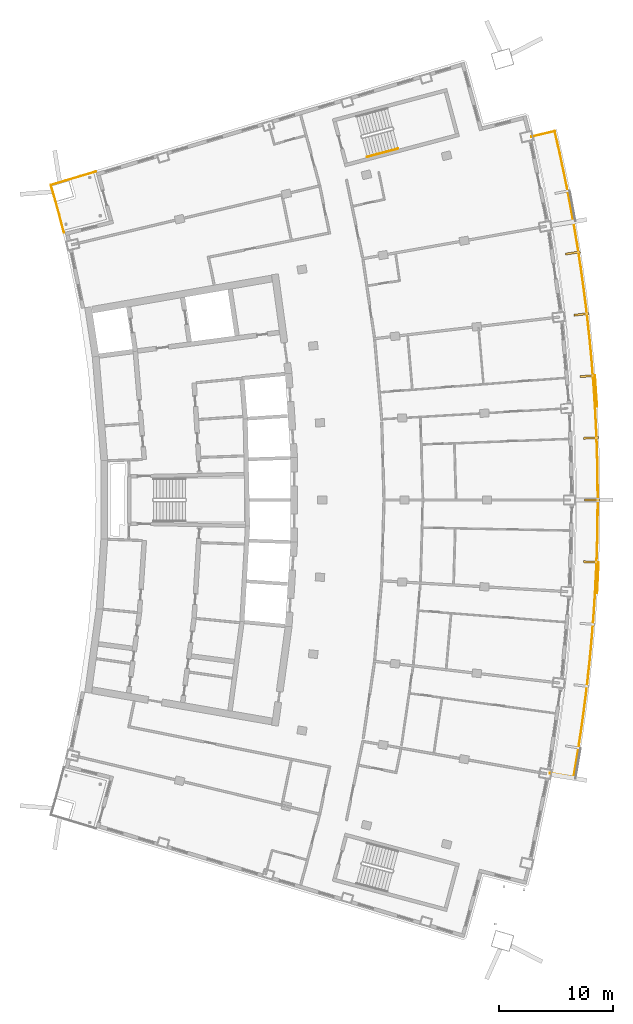
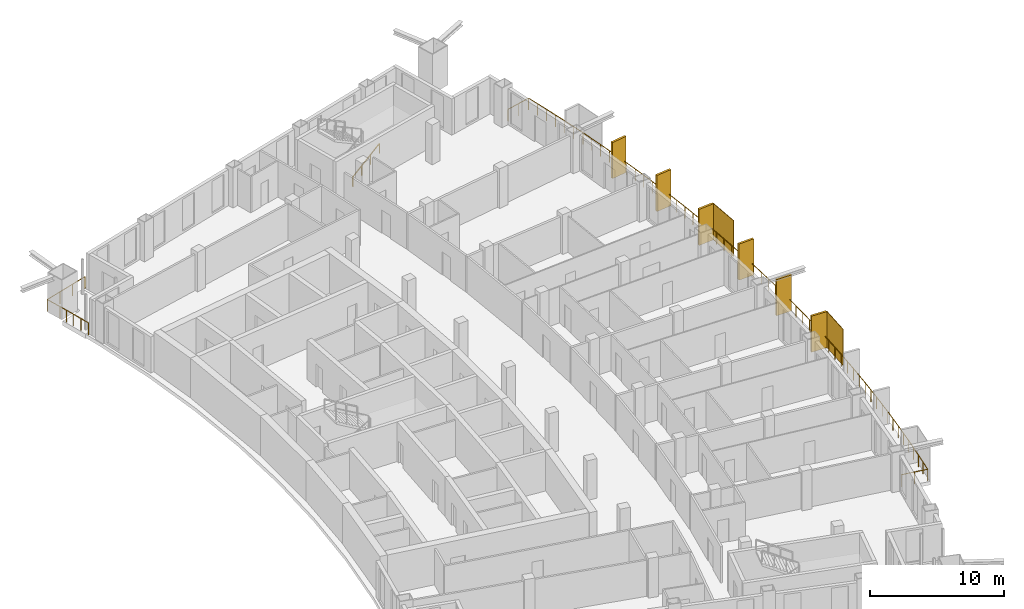
# One storey, part 18 of 19: 8 shading devices, 3 railings.
"""IFC4 building model written with IfcOpenShell, lengths in metres."""

import ifcopenshell
import ifcopenshell.guid

model = None  # the IFC model being written
_history = None  # IfcOwnerHistory: only IFC2X3 demands one
_inside = {}  # id of a spatial element -> (the spatial element, [elements in it])
_under = {}  # id of a project, library or spatial element -> (it, [spatial elements below it])
_declared = {}  # id of a project -> (the project, [libraries it declares])
_typed = {}  # id of a type object -> (the type object, [elements of that type])
_made_of = {}  # id of a material, layer set ... -> (it, [elements and type objects made of it])


def new_model(schema):
    """Start an empty IFC model of exactly this schema.

    Asked for "IFC4X3", IfcOpenShell would pick the latest addendum, in which some entities
    have other attributes; the version numbers below select the first issue.
    IFC2X3 requires an IfcOwnerHistory on every rooted entity: one is made here for all.
    """
    global model, _history
    if schema == "IFC4X3":
        model = ifcopenshell.file(schema_version=(4, 3, 0, 0))
    else:
        model = ifcopenshell.file(schema=schema)
    _inside.clear()
    _under.clear()
    _declared.clear()
    _typed.clear()
    _made_of.clear()
    _history = None
    if model.schema == "IFC2X3":
        org = make("IfcOrganization", Name="unknown")
        user = make(
            "IfcPersonAndOrganization",
            ThePerson=make("IfcPerson", FamilyName="unknown"),
            TheOrganization=org,
        )
        app = make(
            "IfcApplication",
            ApplicationDeveloper=org,
            Version="unknown",
            ApplicationFullName="unknown",
            ApplicationIdentifier="unknown",
        )
        _history = make(
            "IfcOwnerHistory",
            OwningUser=user,
            OwningApplication=app,
            ChangeAction="ADDED",
            CreationDate=0,
        )
    return model


def make(cls, **values):
    """One entity of the class cls with the attributes given. An attribute that is None is left unset."""
    return model.create_entity(
        cls, **{name: value for name, value in values.items() if value is not None}
    )


def rooted(cls, **values):
    """An entity with a GlobalId (a new one), such as an element, a storey or a relation."""
    return make(cls, GlobalId=ifcopenshell.guid.new(), OwnerHistory=_history, **values)


def si_unit(unit_type, name, prefix=None):
    """IfcSIUnit, for example si_unit("LENGTHUNIT", "METRE", prefix="MILLI")."""
    return make("IfcSIUnit", UnitType=unit_type, Prefix=prefix, Name=name)


def assignment(units):
    """IfcUnitAssignment: the units of a project."""
    return None if units is None else make("IfcUnitAssignment", Units=units)


def point(xyz):
    """IfcCartesianPoint."""
    return None if xyz is None else make("IfcCartesianPoint", Coordinates=xyz)


def direction(xyz):
    """IfcDirection."""
    return None if xyz is None else make("IfcDirection", DirectionRatios=xyz)


def frame(location, z_axis=None, x_axis=None):
    """IfcAxis2Placement3D, a coordinate frame: its origin and axes. An axis left out is left unset."""
    return make(
        "IfcAxis2Placement3D",
        Location=point(location),
        Axis=direction(z_axis),
        RefDirection=direction(x_axis),
    )


def frame_2d(location, x_axis=None):
    """IfcAxis2Placement2D, a coordinate frame in the plane: its origin and x axis."""
    return make(
        "IfcAxis2Placement2D", Location=point(location), RefDirection=direction(x_axis)
    )


def origin():
    """The frame at (0, 0, 0) with its axes left unset."""
    return frame((0.0, 0.0, 0.0))


def origin_2d():
    """The frame at (0, 0) in the plane with its x axis left unset."""
    return frame_2d((0.0, 0.0))


def place(relative_to, where):
    """IfcLocalPlacement: puts the frame where relative to a parent placement (None: the world)."""
    return make(
        "IfcLocalPlacement", PlacementRelTo=relative_to, RelativePlacement=where
    )


def context(
    kind, dimensions, precision=None, world=None, true_north=None, identifier=None
):
    """IfcGeometricRepresentationContext, for example the 3D "Model" context."""
    return make(
        "IfcGeometricRepresentationContext",
        ContextIdentifier=identifier,
        ContextType=kind,
        CoordinateSpaceDimension=dimensions,
        Precision=precision,
        WorldCoordinateSystem=world,
        TrueNorth=true_north,
    )


def subcontext(parent, identifier, kind, view, scale=None):
    """IfcGeometricRepresentationSubContext, for example "Body" below "Model"."""
    return make(
        "IfcGeometricRepresentationSubContext",
        ContextIdentifier=identifier,
        ContextType=kind,
        ParentContext=parent,
        TargetScale=scale,
        TargetView=view,
    )


def project(units=None, contexts=None):
    """IfcProject with its units and contexts."""
    return rooted(
        "IfcProject",
        Name="project",
        RepresentationContexts=contexts,
        UnitsInContext=assignment(units),
    )


def spatial(cls, under=None, at=None, **own):
    """A site, building, storey or space (cls), placed at a placement, below another one or the project."""
    s = rooted(cls, ObjectPlacement=at, **own)
    if under is not None:
        _under.setdefault(under.id(), (under, []))[1].append(s)
    return s


def profile(cls, at=None, kind="AREA", **sizes):
    """A parametric profile (cls). Its sizes go by their IFC names, for example OverallWidth=200.0."""
    return make(cls, ProfileType=kind, Position=at, **sizes)


def rectangle(**sizes):
    """IfcRectangleProfileDef."""
    return profile("IfcRectangleProfileDef", **sizes)


def extrude(swept, where, along, depth):
    """IfcExtrudedAreaSolid: the profile swept, set in the frame where, extruded along a direction by depth."""
    return make(
        "IfcExtrudedAreaSolid",
        SweptArea=swept,
        Position=where,
        ExtrudedDirection=direction(along),
        Depth=depth,
    )


def shape(context_of_items, identifier, shape_type, items):
    """IfcShapeRepresentation: the items that make up one representation, for example the "Body"."""
    return make(
        "IfcShapeRepresentation",
        ContextOfItems=context_of_items,
        RepresentationIdentifier=identifier,
        RepresentationType=shape_type,
        Items=items,
    )


def material(Name=None, Category=None):
    """IfcMaterial."""
    return make("IfcMaterial", Name=Name, Category=Category)


def layer(
    of_material, thickness, ventilated=None, Name=None, Category=None, Priority=None
):
    """IfcMaterialLayer: one layer of a wall or slab, of a material (None: an air gap)."""
    return make(
        "IfcMaterialLayer",
        Material=of_material,
        LayerThickness=thickness,
        IsVentilated=ventilated,
        Name=Name,
        Category=Category,
        Priority=Priority,
    )


def layer_set(layers, Name=None):
    """IfcMaterialLayerSet."""
    return make("IfcMaterialLayerSet", MaterialLayers=layers, LayerSetName=Name)


def made_of(thing, what):
    """Note that an element or type object is made of a material, layer set ...; save() writes the relation."""
    if what is not None:
        _made_of.setdefault(what.id(), (what, []))[1].append(thing)
    return thing


def type_object(cls, material=None, **own):
    """A type object (cls), such as IfcWallType, which elements share."""
    return made_of(rooted(cls, **own), material)


def element(
    cls,
    number,
    at=None,
    inside=None,
    cuts=None,
    type_object=None,
    material=None,
    context=None,
    identifier="Body",
    shape_type=None,
    held_by="IfcProductDefinitionShape",
    body=None,
    shapes=None,
    **own,
):
    """One element of the class cls, such as IfcWall. Its Tag is "e" and its number.

    at: its placement. inside: the storey or other place that contains it. cuts: it is an
    opening in that element (IfcRelVoidsElement). A single representation is given by context,
    identifier, shape_type and body (its items); several are given by shapes. held_by: the class
    of the entity that holds the representations. save() writes the other relations.
    """
    e = rooted(cls, Tag="e%d" % number, ObjectPlacement=at, **own)
    if body is not None:
        shapes = [shape(context, identifier, shape_type, body)]
    if shapes is not None:
        e.Representation = make(held_by, Representations=shapes)
    if inside is not None:
        _inside.setdefault(inside.id(), (inside, []))[1].append(e)
    if cuts is not None:
        rooted(
            "IfcRelVoidsElement", RelatingBuildingElement=cuts, RelatedOpeningElement=e
        )
    if type_object is not None:
        _typed.setdefault(type_object.id(), (type_object, []))[1].append(e)
    return made_of(e, material)


def aggregate(whole, parts):
    """IfcRelAggregates: a whole, such as a stair, and the parts it consists of."""
    return rooted("IfcRelAggregates", RelatingObject=whole, RelatedObjects=parts)


def save(model, path):
    """Write the relations noted so far, then the file.

    IfcRelAggregates (storeys below a building ...), IfcRelContainedInSpatialStructure (elements
    in a storey), IfcRelDefinesByType, IfcRelAssociatesMaterial and IfcRelDeclares: one each for
    every whole, place, type object, material and project.
    """
    for whole, parts in _under.values():
        aggregate(whole, parts)
    for where, things in _inside.values():
        rooted(
            "IfcRelContainedInSpatialStructure",
            RelatedElements=things,
            RelatingStructure=where,
        )
    for kind, things in _typed.values():
        rooted("IfcRelDefinesByType", RelatedObjects=things, RelatingType=kind)
    for what, things in _made_of.values():
        rooted("IfcRelAssociatesMaterial", RelatedObjects=things, RelatingMaterial=what)
    for by, libraries in _declared.values():
        rooted("IfcRelDeclares", RelatingContext=by, RelatedDefinitions=libraries)
    model.write(path)


model = new_model("IFC4")

# Units and contexts
model_context = context("Model", 3, precision=1e-05, world=origin(), true_north=direction((0.0, 1.0)))
body_context = subcontext(model_context, "Body", "Model", "MODEL_VIEW")
ifc_project = project(units=[si_unit("LENGTHUNIT", "METRE"), si_unit("AREAUNIT", "SQUARE_METRE"), si_unit("VOLUMEUNIT", "CUBIC_METRE"), si_unit("PLANEANGLEUNIT", "RADIAN"), si_unit("MASSUNIT", "GRAM", prefix="KILO")], contexts=[model_context])

# Site, building, storey
site_placement = place(None, origin())
site = spatial("IfcSite", under=ifc_project, at=site_placement, CompositionType="ELEMENT")
building_placement = place(site_placement, origin())
building = spatial("IfcBuilding", under=site, at=building_placement, Name="Alderwake Tower", CompositionType="ELEMENT")
storey_placement = place(building_placement, frame((0.0, 0.0, 228.800048828125)))
storey = spatial("IfcBuildingStorey", under=building, at=storey_placement, Name="L57", CompositionType="ELEMENT", Elevation=228.800048828125)

# Railings
ifc_material_1 = material(Name="Stainless steel 316 rail and posts", Category="steel")
railing_type_1 = type_object("IfcRailingType", Name="Balcony guard 1100", PredefinedType="GUARDRAIL", material=ifc_material_1)
railing_1_placement = place(storey_placement, frame((55.71240234375, 37.10498046875, 0.0)))
element("IfcRailing", 1, at=railing_1_placement, inside=storey, type_object=railing_type_1, Name="Guard BF04", PredefinedType="GUARDRAIL", context=body_context, shape_type="SweptSolid", body=[
    extrude(rectangle(XDim=0.048095703125, YDim=0.048095703125, at=origin_2d()), frame((0.0, 0.0, 1.076171875), z_axis=(0.984840855066, -0.173460341844, 0.0), x_axis=(0.173460341844, 0.984840855066, 0.0)), (0.0, 0.0, 1.0), 2.099853515625),
    extrude(rectangle(XDim=0.048095703125, YDim=0.048095703125, at=origin_2d()), frame((2.068115234375, -0.3642578125, 1.076171875), z_axis=(0.166602347752, 0.986024166906, 0.0), x_axis=(-0.986024166906, 0.166602347752, 0.0)), (0.0, 0.0, 1.0), 1.940185546875),
    extrude(rectangle(XDim=0.048095703125, YDim=0.048095703125, at=origin_2d()), frame((2.391357421875, 1.548828125, 1.076171875), z_axis=(0.15256970672, 0.988292712, 0.0), x_axis=(-0.988292712, 0.15256970672, 0.0)), (0.0, 0.0, 1.0), 2.040283203125),
    extrude(rectangle(XDim=0.048095703125, YDim=0.048095703125, at=origin_2d()), frame((2.70263671875, 3.565185546875, 1.076171875), z_axis=(0.138086845917, 0.990420124485, 0.0), x_axis=(-0.990420124485, 0.138086845917, 0.0)), (0.0, 0.0, 1.0), 2.040283203125),
    extrude(rectangle(XDim=0.048095703125, YDim=0.048095703125, at=origin_2d()), frame((2.984375, 5.5859375, 1.076171875), z_axis=(0.123622311964, 0.992329342499, 0.0), x_axis=(-0.992329342499, 0.123622311964, 0.0)), (0.0, 0.0, 1.0), 2.0400390625),
    extrude(rectangle(XDim=0.048095703125, YDim=0.048095703125, at=origin_2d()), frame((3.236572265625, 7.6103515625, 1.076171875), z_axis=(0.109131208179, 0.994027353447, 0.0), x_axis=(-0.994027353447, 0.109131208179, 0.0)), (0.0, 0.0, 1.0), 2.040283203125),
    extrude(rectangle(XDim=0.048095703125, YDim=0.048095703125, at=origin_2d()), frame((3.459228515625, 9.638427734375, 1.076171875), z_axis=(0.094656616902, 0.995509982309, 0.0), x_axis=(-0.995509982309, 0.094656616902, 0.0)), (0.0, 0.0, 1.0), 2.040283203125),
    extrude(rectangle(XDim=0.048095703125, YDim=0.048095703125, at=origin_2d()), frame((3.65234375, 11.66943359375, 1.076171875), z_axis=(0.080173257141, 0.996780943257, 0.0), x_axis=(-0.996780943257, 0.080173257141, 0.0)), (0.0, 0.0, 1.0), 2.040283203125),
    extrude(rectangle(XDim=0.048095703125, YDim=0.048095703125, at=origin_2d()), frame((3.81591796875, 13.703125, 1.076171875), z_axis=(0.06558170629, 0.997847202632, 0.0), x_axis=(-0.997847202632, 0.06558170629, 0.0)), (0.0, 0.0, 1.0), 2.0400390625),
    extrude(rectangle(XDim=0.048095703125, YDim=0.048095703125, at=origin_2d()), frame((3.94970703125, 15.73876953125, 1.076171875), z_axis=(0.050976054049, 0.998699875795, 0.0), x_axis=(-0.998699875795, 0.050976054049, 0.0)), (0.0, 0.0, 1.0), 2.040283203125),
    extrude(rectangle(XDim=0.048095703125, YDim=0.048095703125, at=origin_2d()), frame((4.0537109375, 17.7763671875, 1.076171875), z_axis=(0.036498237791, 0.999333717353, 0.0), x_axis=(-0.999333717353, 0.036498237791, 0.0)), (0.0, 0.0, 1.0), 2.040283203125),
    extrude(rectangle(XDim=0.048095703125, YDim=0.048095703125, at=origin_2d()), frame((4.128173828125, 19.815185546875, 1.076171875), z_axis=(0.021778196829, 0.999762826946, 0.0), x_axis=(-0.999762826946, 0.021778196829, 0.0)), (0.0, 0.0, 1.0), 2.040283203125),
    extrude(rectangle(XDim=0.048095703125, YDim=0.048095703125, at=origin_2d()), frame((4.172607421875, 21.85498046875, 1.076171875), z_axis=(0.007299949097, 0.999973355017, 0.0), x_axis=(-0.999973355017, 0.007299949097, 0.0)), (0.0, 0.0, 1.0), 2.0400390625),
    extrude(rectangle(XDim=0.048095703125, YDim=0.048095703125, at=origin_2d()), frame((4.1875, 23.89501953125, 1.076171875), z_axis=(-0.007299949097, 0.999973355017, 0.0), x_axis=(-0.999973355017, -0.007299949097, 0.0)), (0.0, 0.0, 1.0), 2.0400390625),
    extrude(rectangle(XDim=0.048095703125, YDim=0.048095703125, at=origin_2d()), frame((4.172607421875, 25.93505859375, 1.076171875), z_axis=(-0.021778196829, 0.999762826946, 0.0), x_axis=(-0.999762826946, -0.021778196829, 0.0)), (0.0, 0.0, 1.0), 2.040283203125),
    extrude(rectangle(XDim=0.048095703125, YDim=0.048095703125, at=origin_2d()), frame((4.128173828125, 27.974853515625, 1.076171875), z_axis=(-0.036498237791, 0.999333717353, 0.0), x_axis=(-0.999333717353, -0.036498237791, 0.0)), (0.0, 0.0, 1.0), 2.040283203125),
    extrude(rectangle(XDim=0.048095703125, YDim=0.048095703125, at=origin_2d()), frame((4.0537109375, 30.013671875, 1.076171875), z_axis=(-0.050976054049, 0.998699875795, 0.0), x_axis=(-0.998699875795, -0.050976054049, 0.0)), (0.0, 0.0, 1.0), 2.040283203125),
    extrude(rectangle(XDim=0.048095703125, YDim=0.048095703125, at=origin_2d()), frame((3.94970703125, 32.05126953125, 1.076171875), z_axis=(-0.06558170629, 0.997847202632, 0.0), x_axis=(-0.997847202632, -0.06558170629, 0.0)), (0.0, 0.0, 1.0), 2.0400390625),
    extrude(rectangle(XDim=0.048095703125, YDim=0.048095703125, at=origin_2d()), frame((3.81591796875, 34.0869140625, 1.076171875), z_axis=(-0.080173257141, 0.996780943257, 0.0), x_axis=(-0.996780943257, -0.080173257141, 0.0)), (0.0, 0.0, 1.0), 2.040283203125),
    extrude(rectangle(XDim=0.048095703125, YDim=0.048095703125, at=origin_2d()), frame((3.65234375, 36.12060546875, 1.076171875), z_axis=(-0.094656616902, 0.995509982309, 0.0), x_axis=(-0.995509982309, -0.094656616902, 0.0)), (0.0, 0.0, 1.0), 2.040283203125),
    extrude(rectangle(XDim=0.048095703125, YDim=0.048095703125, at=origin_2d()), frame((3.459228515625, 38.151611328125, 1.076171875), z_axis=(-0.109131208179, 0.994027353447, 0.0), x_axis=(-0.994027353447, -0.109131208179, 0.0)), (0.0, 0.0, 1.0), 2.040283203125),
    extrude(rectangle(XDim=0.048095703125, YDim=0.048095703125, at=origin_2d()), frame((3.236572265625, 40.1796875, 1.076171875), z_axis=(-0.123622311964, 0.992329342499, 0.0), x_axis=(-0.992329342499, -0.123622311964, 0.0)), (0.0, 0.0, 1.0), 2.0400390625),
    extrude(rectangle(XDim=0.048095703125, YDim=0.048095703125, at=origin_2d()), frame((2.984375, 42.2041015625, 1.076171875), z_axis=(-0.138086845917, 0.990420124485, 0.0), x_axis=(-0.990420124485, -0.138086845917, 0.0)), (0.0, 0.0, 1.0), 2.040283203125),
    extrude(rectangle(XDim=0.048095703125, YDim=0.048095703125, at=origin_2d()), frame((2.70263671875, 44.224853515625, 1.076171875), z_axis=(-0.15256970672, 0.988292712, 0.0), x_axis=(-0.988292712, -0.15256970672, 0.0)), (0.0, 0.0, 1.0), 2.040283203125),
    extrude(rectangle(XDim=0.048095703125, YDim=0.048095703125, at=origin_2d()), frame((2.391357421875, 46.2412109375, 1.076171875), z_axis=(-0.166940635235, 0.985966948892, 0.0), x_axis=(-0.985966948892, -0.166940635235, 0.0)), (0.0, 0.0, 1.0), 2.0400390625),
    extrude(rectangle(XDim=0.048095703125, YDim=0.048095703125, at=origin_2d()), frame((2.05078125, 48.252685546875, 1.076171875), z_axis=(-0.181296442704, 0.983428492501, 0.0), x_axis=(-0.983428492501, -0.181296442704, 0.0)), (0.0, 0.0, 1.0), 2.0400390625),
    extrude(rectangle(XDim=0.048095703125, YDim=0.048095703125, at=origin_2d()), frame((1.680908203125, 50.259033203125, 1.076171875), z_axis=(-0.195517818896, 0.980700149125, 0.0), x_axis=(-0.980700149125, -0.195517818896, 0.0)), (0.0, 0.0, 1.0), 2.040283203125),
    extrude(rectangle(XDim=0.048095703125, YDim=0.048095703125, at=origin_2d()), frame((1.281982421875, 52.260009765625, 1.076171875), z_axis=(-0.209905019047, 0.977721781991, 0.0), x_axis=(-0.977721781991, -0.209905019047, 0.0)), (0.0, 0.0, 1.0), 2.0400390625),
    extrude(rectangle(XDim=0.048095703125, YDim=0.048095703125, at=origin_2d()), frame((0.853759765625, 54.254638671875, 1.076171875), z_axis=(-0.22386682062, 0.974619744632, 0.0), x_axis=(-0.974619744632, -0.22386682062, 0.0)), (0.0, 0.0, 1.0), 1.940185546875),
    extrude(rectangle(XDim=0.048095703125, YDim=0.048095703125, at=origin_2d()), frame((0.41943359375, 56.1455078125, 1.076171875), z_axis=(-0.973089892327, -0.230425826355, 0.0), x_axis=(0.230425826355, -0.973089892327, 0.0)), (0.0, 0.0, 1.0), 2.099853515625),
    extrude(rectangle(XDim=0.0419921875, YDim=0.0419921875, at=origin_2d()), frame((0.0, 0.0, 0.0), z_axis=(0.0, 0.0, 1.0), x_axis=(0.984840855066, -0.173460341844, 0.0)), (0.0, 0.0, 1.0), 1.052001953125),
    extrude(rectangle(XDim=0.0419921875, YDim=0.0419921875, at=origin_2d()), frame((1.0341796875, -0.18212890625, 0.0), z_axis=(0.0, 0.0, 1.0), x_axis=(0.984840855066, -0.173460341844, 0.0)), (0.0, 0.0, 1.0), 1.052001953125),
    extrude(rectangle(XDim=0.0419921875, YDim=0.0419921875, at=origin_2d()), frame((2.068115234375, -0.3642578125, 0.0), z_axis=(0.0, 0.0, 1.0), x_axis=(0.166602347752, 0.986024166906, 0.0)), (0.0, 0.0, 1.0), 1.052001953125),
    extrude(rectangle(XDim=0.0419921875, YDim=0.0419921875, at=origin_2d()), frame((2.229736328125, 0.59228515625, 0.0), z_axis=(0.0, 0.0, 1.0), x_axis=(0.166602347752, 0.986024166906, 0.0)), (0.0, 0.0, 1.0), 1.052001953125),
    extrude(rectangle(XDim=0.0419921875, YDim=0.0419921875, at=origin_2d()), frame((2.391357421875, 1.548828125, 0.0), z_axis=(0.0, 0.0, 1.0), x_axis=(0.15256970672, 0.988292712, 0.0)), (0.0, 0.0, 1.0), 1.052001953125),
    extrude(rectangle(XDim=0.0419921875, YDim=0.0419921875, at=origin_2d()), frame((2.546875, 2.55712890625, 0.0), z_axis=(0.0, 0.0, 1.0), x_axis=(0.15256970672, 0.988292712, 0.0)), (0.0, 0.0, 1.0), 1.052001953125),
    extrude(rectangle(XDim=0.0419921875, YDim=0.0419921875, at=origin_2d()), frame((2.70263671875, 3.565185546875, 0.0), z_axis=(0.0, 0.0, 1.0), x_axis=(0.138086845917, 0.990420124485, 0.0)), (0.0, 0.0, 1.0), 1.052001953125),
    extrude(rectangle(XDim=0.0419921875, YDim=0.0419921875, at=origin_2d()), frame((2.843505859375, 4.57568359375, 0.0), z_axis=(0.0, 0.0, 1.0), x_axis=(0.138086845917, 0.990420124485, 0.0)), (0.0, 0.0, 1.0), 1.052001953125),
    extrude(rectangle(XDim=0.0419921875, YDim=0.0419921875, at=origin_2d()), frame((2.984375, 5.5859375, 0.0), z_axis=(0.0, 0.0, 1.0), x_axis=(0.123622311964, 0.992329342499, 0.0)), (0.0, 0.0, 1.0), 1.052001953125),
    extrude(rectangle(XDim=0.0419921875, YDim=0.0419921875, at=origin_2d()), frame((3.1103515625, 6.59814453125, 0.0), z_axis=(0.0, 0.0, 1.0), x_axis=(0.123622311964, 0.992329342499, 0.0)), (0.0, 0.0, 1.0), 1.052001953125),
    extrude(rectangle(XDim=0.0419921875, YDim=0.0419921875, at=origin_2d()), frame((3.236572265625, 7.6103515625, 0.0), z_axis=(0.0, 0.0, 1.0), x_axis=(0.109131208179, 0.994027353447, 0.0)), (0.0, 0.0, 1.0), 1.052001953125),
    extrude(rectangle(XDim=0.0419921875, YDim=0.0419921875, at=origin_2d()), frame((3.347900390625, 8.62451171875, 0.0), z_axis=(0.0, 0.0, 1.0), x_axis=(0.109131208179, 0.994027353447, 0.0)), (0.0, 0.0, 1.0), 1.052001953125),
    extrude(rectangle(XDim=0.0419921875, YDim=0.0419921875, at=origin_2d()), frame((3.459228515625, 9.638427734375, 0.0), z_axis=(0.0, 0.0, 1.0), x_axis=(0.094656616902, 0.995509982309, 0.0)), (0.0, 0.0, 1.0), 1.052001953125),
    extrude(rectangle(XDim=0.0419921875, YDim=0.0419921875, at=origin_2d()), frame((3.5556640625, 10.65380859375, 0.0), z_axis=(0.0, 0.0, 1.0), x_axis=(0.094656616902, 0.995509982309, 0.0)), (0.0, 0.0, 1.0), 1.052001953125),
    extrude(rectangle(XDim=0.0419921875, YDim=0.0419921875, at=origin_2d()), frame((3.65234375, 11.66943359375, 0.0), z_axis=(0.0, 0.0, 1.0), x_axis=(0.080173257141, 0.996780943257, 0.0)), (0.0, 0.0, 1.0), 1.052001953125),
    extrude(rectangle(XDim=0.0419921875, YDim=0.0419921875, at=origin_2d()), frame((3.734130859375, 12.686279296875, 0.0), z_axis=(0.0, 0.0, 1.0), x_axis=(0.080173257141, 0.996780943257, 0.0)), (0.0, 0.0, 1.0), 1.052001953125),
    extrude(rectangle(XDim=0.0419921875, YDim=0.0419921875, at=origin_2d()), frame((3.81591796875, 13.703125, 0.0), z_axis=(0.0, 0.0, 1.0), x_axis=(0.06558170629, 0.997847202632, 0.0)), (0.0, 0.0, 1.0), 1.052001953125),
    extrude(rectangle(XDim=0.0419921875, YDim=0.0419921875, at=origin_2d()), frame((3.8828125, 14.720947265625, 0.0), z_axis=(0.0, 0.0, 1.0), x_axis=(0.06558170629, 0.997847202632, 0.0)), (0.0, 0.0, 1.0), 1.052001953125),
    extrude(rectangle(XDim=0.0419921875, YDim=0.0419921875, at=origin_2d()), frame((3.94970703125, 15.73876953125, 0.0), z_axis=(0.0, 0.0, 1.0), x_axis=(0.050976054049, 0.998699875795, 0.0)), (0.0, 0.0, 1.0), 1.052001953125),
    extrude(rectangle(XDim=0.0419921875, YDim=0.0419921875, at=origin_2d()), frame((4.001708984375, 16.757568359375, 0.0), z_axis=(0.0, 0.0, 1.0), x_axis=(0.050976054049, 0.998699875795, 0.0)), (0.0, 0.0, 1.0), 1.052001953125),
    extrude(rectangle(XDim=0.0419921875, YDim=0.0419921875, at=origin_2d()), frame((4.0537109375, 17.7763671875, 0.0), z_axis=(0.0, 0.0, 1.0), x_axis=(0.036498237791, 0.999333717353, 0.0)), (0.0, 0.0, 1.0), 1.052001953125),
    extrude(rectangle(XDim=0.0419921875, YDim=0.0419921875, at=origin_2d()), frame((4.0908203125, 18.7958984375, 0.0), z_axis=(0.0, 0.0, 1.0), x_axis=(0.036498237791, 0.999333717353, 0.0)), (0.0, 0.0, 1.0), 1.052001953125),
    extrude(rectangle(XDim=0.0419921875, YDim=0.0419921875, at=origin_2d()), frame((4.128173828125, 19.815185546875, 0.0), z_axis=(0.0, 0.0, 1.0), x_axis=(0.021778196829, 0.999762826946, 0.0)), (0.0, 0.0, 1.0), 1.052001953125),
    extrude(rectangle(XDim=0.0419921875, YDim=0.0419921875, at=origin_2d()), frame((4.150390625, 20.8349609375, 0.0), z_axis=(0.0, 0.0, 1.0), x_axis=(0.021778196829, 0.999762826946, 0.0)), (0.0, 0.0, 1.0), 1.052001953125),
    extrude(rectangle(XDim=0.0419921875, YDim=0.0419921875, at=origin_2d()), frame((4.172607421875, 21.85498046875, 0.0), z_axis=(0.0, 0.0, 1.0), x_axis=(0.007299949097, 0.999973355017, 0.0)), (0.0, 0.0, 1.0), 1.052001953125),
    extrude(rectangle(XDim=0.0419921875, YDim=0.0419921875, at=origin_2d()), frame((4.18017578125, 22.875, 0.0), z_axis=(0.0, 0.0, 1.0), x_axis=(0.007299949097, 0.999973355017, 0.0)), (0.0, 0.0, 1.0), 1.052001953125),
    extrude(rectangle(XDim=0.0419921875, YDim=0.0419921875, at=origin_2d()), frame((4.1875, 23.89501953125, 0.0), z_axis=(0.0, 0.0, 1.0), x_axis=(-0.007299949097, 0.999973355017, 0.0)), (0.0, 0.0, 1.0), 1.052001953125),
    extrude(rectangle(XDim=0.0419921875, YDim=0.0419921875, at=origin_2d()), frame((4.18017578125, 24.9150390625, 0.0), z_axis=(0.0, 0.0, 1.0), x_axis=(-0.007299949097, 0.999973355017, 0.0)), (0.0, 0.0, 1.0), 1.052001953125),
    extrude(rectangle(XDim=0.0419921875, YDim=0.0419921875, at=origin_2d()), frame((4.172607421875, 25.93505859375, 0.0), z_axis=(0.0, 0.0, 1.0), x_axis=(-0.021778196829, 0.999762826946, 0.0)), (0.0, 0.0, 1.0), 1.052001953125),
    extrude(rectangle(XDim=0.0419921875, YDim=0.0419921875, at=origin_2d()), frame((4.150390625, 26.955078125, 0.0), z_axis=(0.0, 0.0, 1.0), x_axis=(-0.021778196829, 0.999762826946, 0.0)), (0.0, 0.0, 1.0), 1.052001953125),
    extrude(rectangle(XDim=0.0419921875, YDim=0.0419921875, at=origin_2d()), frame((4.128173828125, 27.974853515625, 0.0), z_axis=(0.0, 0.0, 1.0), x_axis=(-0.036498237791, 0.999333717353, 0.0)), (0.0, 0.0, 1.0), 1.052001953125),
    extrude(rectangle(XDim=0.0419921875, YDim=0.0419921875, at=origin_2d()), frame((4.0908203125, 28.994140625, 0.0), z_axis=(0.0, 0.0, 1.0), x_axis=(-0.036498237791, 0.999333717353, 0.0)), (0.0, 0.0, 1.0), 1.052001953125),
    extrude(rectangle(XDim=0.0419921875, YDim=0.0419921875, at=origin_2d()), frame((4.0537109375, 30.013671875, 0.0), z_axis=(0.0, 0.0, 1.0), x_axis=(-0.050976054049, 0.998699875795, 0.0)), (0.0, 0.0, 1.0), 1.052001953125),
    extrude(rectangle(XDim=0.0419921875, YDim=0.0419921875, at=origin_2d()), frame((4.001708984375, 31.032470703125, 0.0), z_axis=(0.0, 0.0, 1.0), x_axis=(-0.050976054049, 0.998699875795, 0.0)), (0.0, 0.0, 1.0), 1.052001953125),
    extrude(rectangle(XDim=0.0419921875, YDim=0.0419921875, at=origin_2d()), frame((3.94970703125, 32.05126953125, 0.0), z_axis=(0.0, 0.0, 1.0), x_axis=(-0.06558170629, 0.997847202632, 0.0)), (0.0, 0.0, 1.0), 1.052001953125),
    extrude(rectangle(XDim=0.0419921875, YDim=0.0419921875, at=origin_2d()), frame((3.8828125, 33.069091796875, 0.0), z_axis=(0.0, 0.0, 1.0), x_axis=(-0.06558170629, 0.997847202632, 0.0)), (0.0, 0.0, 1.0), 1.052001953125),
    extrude(rectangle(XDim=0.0419921875, YDim=0.0419921875, at=origin_2d()), frame((3.81591796875, 34.0869140625, 0.0), z_axis=(0.0, 0.0, 1.0), x_axis=(-0.080173257141, 0.996780943257, 0.0)), (0.0, 0.0, 1.0), 1.052001953125),
    extrude(rectangle(XDim=0.0419921875, YDim=0.0419921875, at=origin_2d()), frame((3.734130859375, 35.103759765625, 0.0), z_axis=(0.0, 0.0, 1.0), x_axis=(-0.080173257141, 0.996780943257, 0.0)), (0.0, 0.0, 1.0), 1.052001953125),
    extrude(rectangle(XDim=0.0419921875, YDim=0.0419921875, at=origin_2d()), frame((3.65234375, 36.12060546875, 0.0), z_axis=(0.0, 0.0, 1.0), x_axis=(-0.094656616902, 0.995509982309, 0.0)), (0.0, 0.0, 1.0), 1.052001953125),
    extrude(rectangle(XDim=0.0419921875, YDim=0.0419921875, at=origin_2d()), frame((3.5556640625, 37.13623046875, 0.0), z_axis=(0.0, 0.0, 1.0), x_axis=(-0.094656616902, 0.995509982309, 0.0)), (0.0, 0.0, 1.0), 1.052001953125),
    extrude(rectangle(XDim=0.0419921875, YDim=0.0419921875, at=origin_2d()), frame((3.459228515625, 38.151611328125, 0.0), z_axis=(0.0, 0.0, 1.0), x_axis=(-0.109131208179, 0.994027353447, 0.0)), (0.0, 0.0, 1.0), 1.052001953125),
    extrude(rectangle(XDim=0.0419921875, YDim=0.0419921875, at=origin_2d()), frame((3.347900390625, 39.16552734375, 0.0), z_axis=(0.0, 0.0, 1.0), x_axis=(-0.109131208179, 0.994027353447, 0.0)), (0.0, 0.0, 1.0), 1.052001953125),
    extrude(rectangle(XDim=0.0419921875, YDim=0.0419921875, at=origin_2d()), frame((3.236572265625, 40.1796875, 0.0), z_axis=(0.0, 0.0, 1.0), x_axis=(-0.123622311964, 0.992329342499, 0.0)), (0.0, 0.0, 1.0), 1.052001953125),
    extrude(rectangle(XDim=0.0419921875, YDim=0.0419921875, at=origin_2d()), frame((3.1103515625, 41.19189453125, 0.0), z_axis=(0.0, 0.0, 1.0), x_axis=(-0.123622311964, 0.992329342499, 0.0)), (0.0, 0.0, 1.0), 1.052001953125),
    extrude(rectangle(XDim=0.0419921875, YDim=0.0419921875, at=origin_2d()), frame((2.984375, 42.2041015625, 0.0), z_axis=(0.0, 0.0, 1.0), x_axis=(-0.138086845917, 0.990420124485, 0.0)), (0.0, 0.0, 1.0), 1.052001953125),
    extrude(rectangle(XDim=0.0419921875, YDim=0.0419921875, at=origin_2d()), frame((2.843505859375, 43.21435546875, 0.0), z_axis=(0.0, 0.0, 1.0), x_axis=(-0.138086845917, 0.990420124485, 0.0)), (0.0, 0.0, 1.0), 1.052001953125),
    extrude(rectangle(XDim=0.0419921875, YDim=0.0419921875, at=origin_2d()), frame((2.70263671875, 44.224853515625, 0.0), z_axis=(0.0, 0.0, 1.0), x_axis=(-0.15256970672, 0.988292712, 0.0)), (0.0, 0.0, 1.0), 1.052001953125),
    extrude(rectangle(XDim=0.0419921875, YDim=0.0419921875, at=origin_2d()), frame((2.546875, 45.23291015625, 0.0), z_axis=(0.0, 0.0, 1.0), x_axis=(-0.15256970672, 0.988292712, 0.0)), (0.0, 0.0, 1.0), 1.052001953125),
    extrude(rectangle(XDim=0.0419921875, YDim=0.0419921875, at=origin_2d()), frame((2.391357421875, 46.2412109375, 0.0), z_axis=(0.0, 0.0, 1.0), x_axis=(-0.166940635235, 0.985966948892, 0.0)), (0.0, 0.0, 1.0), 1.052001953125),
    extrude(rectangle(XDim=0.0419921875, YDim=0.0419921875, at=origin_2d()), frame((2.22119140625, 47.2470703125, 0.0), z_axis=(0.0, 0.0, 1.0), x_axis=(-0.166940635235, 0.985966948892, 0.0)), (0.0, 0.0, 1.0), 1.052001953125),
    extrude(rectangle(XDim=0.0419921875, YDim=0.0419921875, at=origin_2d()), frame((2.05078125, 48.252685546875, 0.0), z_axis=(0.0, 0.0, 1.0), x_axis=(-0.181296442704, 0.983428492501, 0.0)), (0.0, 0.0, 1.0), 1.052001953125),
    extrude(rectangle(XDim=0.0419921875, YDim=0.0419921875, at=origin_2d()), frame((1.86572265625, 49.255859375, 0.0), z_axis=(0.0, 0.0, 1.0), x_axis=(-0.181296442704, 0.983428492501, 0.0)), (0.0, 0.0, 1.0), 1.052001953125),
    extrude(rectangle(XDim=0.0419921875, YDim=0.0419921875, at=origin_2d()), frame((1.680908203125, 50.259033203125, 0.0), z_axis=(0.0, 0.0, 1.0), x_axis=(-0.195517818896, 0.980700149125, 0.0)), (0.0, 0.0, 1.0), 1.052001953125),
    extrude(rectangle(XDim=0.0419921875, YDim=0.0419921875, at=origin_2d()), frame((1.4814453125, 51.259521484375, 0.0), z_axis=(0.0, 0.0, 1.0), x_axis=(-0.195517818896, 0.980700149125, 0.0)), (0.0, 0.0, 1.0), 1.052001953125),
    extrude(rectangle(XDim=0.0419921875, YDim=0.0419921875, at=origin_2d()), frame((1.281982421875, 52.260009765625, 0.0), z_axis=(0.0, 0.0, 1.0), x_axis=(-0.209905019047, 0.977721781991, 0.0)), (0.0, 0.0, 1.0), 1.052001953125),
    extrude(rectangle(XDim=0.0419921875, YDim=0.0419921875, at=origin_2d()), frame((1.06787109375, 53.25732421875, 0.0), z_axis=(0.0, 0.0, 1.0), x_axis=(-0.209905019047, 0.977721781991, 0.0)), (0.0, 0.0, 1.0), 1.052001953125),
    extrude(rectangle(XDim=0.0419921875, YDim=0.0419921875, at=origin_2d()), frame((0.853759765625, 54.254638671875, 0.0), z_axis=(0.0, 0.0, 1.0), x_axis=(-0.22386682062, 0.974619744632, 0.0)), (0.0, 0.0, 1.0), 1.052001953125),
    extrude(rectangle(XDim=0.0419921875, YDim=0.0419921875, at=origin_2d()), frame((0.63671875, 55.2001953125, 0.0), z_axis=(0.0, 0.0, 1.0), x_axis=(-0.22386682062, 0.974619744632, 0.0)), (0.0, 0.0, 1.0), 1.052001953125),
    extrude(rectangle(XDim=0.0419921875, YDim=0.0419921875, at=origin_2d()), frame((0.41943359375, 56.1455078125, 0.0), z_axis=(0.0, 0.0, 1.0), x_axis=(-0.973089892327, -0.230425826355, 0.0)), (0.0, 0.0, 1.0), 1.052001953125),
    extrude(rectangle(XDim=0.0419921875, YDim=0.0419921875, at=origin_2d()), frame((-0.602294921875, 55.903564453125, 0.0), z_axis=(0.0, 0.0, 1.0), x_axis=(-0.973089892327, -0.230425826355, 0.0)), (0.0, 0.0, 1.0), 1.052001953125),
    extrude(rectangle(XDim=0.0419921875, YDim=0.0419921875, at=origin_2d()), frame((-1.6240234375, 55.66162109375, 0.0), z_axis=(0.0, 0.0, 1.0), x_axis=(-0.973089892327, -0.230425826355, 0.0)), (0.0, 0.0, 1.0), 1.052001953125),
])
railing_2_placement = place(storey_placement, frame((13.210693359375, 84.387451171875, 0.0)))
element("IfcRailing", 2, at=railing_2_placement, inside=storey, type_object=railing_type_1, Name="Guard terrace RN", PredefinedType="GUARDRAIL", context=body_context, shape_type="SweptSolid", body=[
    extrude(rectangle(XDim=0.048095703125, YDim=0.048095703125, at=origin_2d()), frame((0.0, 0.0, 1.076171875), z_axis=(-0.251385381433, 0.967887075026, 0.0), x_axis=(-0.967887075026, -0.251385381433, 0.0)), (0.0, 0.0, 1.0), 1.6015625),
    extrude(rectangle(XDim=0.048095703125, YDim=0.048095703125, at=origin_2d()), frame((-0.402587890625, 1.550048828125, 1.076171875), z_axis=(-0.266520638672, 0.963829211615, 0.0), x_axis=(-0.963829211615, -0.266520638672, 0.0)), (0.0, 0.0, 1.0), 1.401611328125),
    extrude(rectangle(XDim=0.048095703125, YDim=0.048095703125, at=origin_2d()), frame((-0.776123046875, 2.90087890625, 1.076171875), z_axis=(-0.280093650878, 0.959972680204, 0.0), x_axis=(-0.959972680204, -0.280093650878, 0.0)), (0.0, 0.0, 1.0), 1.30126953125),
    extrude(rectangle(XDim=0.048095703125, YDim=0.048095703125, at=origin_2d()), frame((-1.140625, 4.150146484375, 1.076171875), z_axis=(0.958066871889, 0.286544706789, 0.0), x_axis=(-0.286544706789, 0.958066871889, 0.0)), (0.0, 0.0, 1.0), 4.099853515625),
    extrude(rectangle(XDim=0.0419921875, YDim=0.0419921875, at=origin_2d()), frame((0.0, 0.0, 0.0), z_axis=(0.0, 0.0, 1.0), x_axis=(-0.251385381433, 0.967887075026, 0.0)), (0.0, 0.0, 1.0), 1.052001953125),
    extrude(rectangle(XDim=0.0419921875, YDim=0.0419921875, at=origin_2d()), frame((-0.201171875, 0.77490234375, 0.0), z_axis=(0.0, 0.0, 1.0), x_axis=(-0.251385381433, 0.967887075026, 0.0)), (0.0, 0.0, 1.0), 1.052001953125),
    extrude(rectangle(XDim=0.0419921875, YDim=0.0419921875, at=origin_2d()), frame((-0.402587890625, 1.550048828125, 0.0), z_axis=(0.0, 0.0, 1.0), x_axis=(-0.266520638672, 0.963829211615, 0.0)), (0.0, 0.0, 1.0), 1.052001953125),
    extrude(rectangle(XDim=0.0419921875, YDim=0.0419921875, at=origin_2d()), frame((-0.58935546875, 2.2255859375, 0.0), z_axis=(0.0, 0.0, 1.0), x_axis=(-0.266520638672, 0.963829211615, 0.0)), (0.0, 0.0, 1.0), 1.052001953125),
    extrude(rectangle(XDim=0.0419921875, YDim=0.0419921875, at=origin_2d()), frame((-0.776123046875, 2.90087890625, 0.0), z_axis=(0.0, 0.0, 1.0), x_axis=(-0.280093650878, 0.959972680204, 0.0)), (0.0, 0.0, 1.0), 1.052001953125),
    extrude(rectangle(XDim=0.0419921875, YDim=0.0419921875, at=origin_2d()), frame((-1.140625, 4.150146484375, 0.0), z_axis=(0.0, 0.0, 1.0), x_axis=(0.958066871889, 0.286544706789, 0.0)), (0.0, 0.0, 1.0), 1.052001953125),
    extrude(rectangle(XDim=0.0419921875, YDim=0.0419921875, at=origin_2d()), frame((0.168701171875, 4.541748046875, 0.0), z_axis=(0.0, 0.0, 1.0), x_axis=(0.958066871889, 0.286544706789, 0.0)), (0.0, 0.0, 1.0), 1.052001953125),
    extrude(rectangle(XDim=0.0419921875, YDim=0.0419921875, at=origin_2d()), frame((1.47802734375, 4.933349609375, 0.0), z_axis=(0.0, 0.0, 1.0), x_axis=(0.958066871889, 0.286544706789, 0.0)), (0.0, 0.0, 1.0), 1.052001953125),
    extrude(rectangle(XDim=0.0419921875, YDim=0.0419921875, at=origin_2d()), frame((2.787353515625, 5.324951171875, 0.0), z_axis=(0.0, 0.0, 1.0), x_axis=(0.958066871889, 0.286544706789, 0.0)), (0.0, 0.0, 1.0), 1.052001953125),
])

# Shading devices
ifc_material_2 = material(Name="Bronze anodised aluminium", Category="aluminium")
ifc_layer_1 = layer(ifc_material_2, 0.179931640625)
ifc_layer_set_1 = layer_set([ifc_layer_1], Name="Facade fin 1300")
shading_device_type_1 = type_object("IfcShadingDeviceType", Name="Facade fin 1300", PredefinedType="USERDEFINED", material=ifc_layer_set_1)
for number, where, z_axis, x_axis, name in (
    (3, (59.29443359375, 55.57861328125, 0.0), (0.0, 0.0, 1.0), (0.999243494356, -0.038890088543, 0.0), "Fin"),
    (4, (59.39990234375, 61.0, 0.0), (0.0, 0.0, 1.0), (1.0, 0.0, 0.0), "Fin"),
    (5, (59.29443359375, 66.42138671875, 0.0), (0.0, 0.0, 1.0), (0.999243494356, 0.038890088543, 0.0), "Fin"),
    (6, (58.978271484375, 71.83447265625, 0.0), (0.0, 0.0, 1.0), (0.996975122026, 0.077721335943, 0.0), "Fin"),
    (7, (58.451904296875, 77.231201171875, 0.0), (0.0, 0.0, 1.0), (0.993198315083, 0.116434990084, 0.0), "Fin"),
    (8, (57.7158203125, 82.603271484375, 0.0), (0.0, 0.0, 1.0), (0.987918787879, 0.154972476771, 0.0), "Fin"),
):
    element("IfcShadingDevice", number, at=place(storey_placement, frame(where, z_axis=z_axis, x_axis=x_axis)), inside=storey, type_object=shading_device_type_1, Name=name, ObjectType="FIN", PredefinedType="USERDEFINED", context=body_context, shape_type="SweptSolid", body=[
        extrude(rectangle(XDim=1.300048828125, YDim=0.179931640625, at=origin_2d()), origin(), (0.0, 0.0, 1.0), 3.280029296875),
    ])
ifc_material_3 = material(Name="Perforated bronze anodised aluminium", Category="aluminium")
ifc_layer_2 = layer(ifc_material_3, 0.050048828125)
ifc_layer_set_2 = layer_set([ifc_layer_2], Name="Perforated screen panel")
shading_device_type_2 = type_object("IfcShadingDeviceType", Name="Perforated screen panel", PredefinedType="USERDEFINED", material=ifc_layer_set_2)
shading_device_1_placement = place(storey_placement, frame((59.903076171875, 54.1953125, 0.0), z_axis=(0.0, 0.0, 1.0), x_axis=(0.998819231138, -0.048581308217, 0.0)))
element("IfcShadingDevice", 9, at=shading_device_1_placement, inside=storey, type_object=shading_device_type_2, Name="Screen panel", ObjectType="SCREEN", PredefinedType="USERDEFINED", context=body_context, shape_type="SweptSolid", body=[
    extrude(rectangle(XDim=0.050048828125, YDim=2.71728515625, at=origin_2d()), origin(), (0.0, 0.0, 1.0), 3.280029296875),
])
shading_device_2_placement = place(storey_placement, frame((59.744140625, 70.5244140625, 0.0), z_axis=(0.0, 0.0, 1.0), x_axis=(0.997685465774, 0.067997877779, 0.0)))
element("IfcShadingDevice", 10, at=shading_device_2_placement, inside=storey, type_object=shading_device_type_2, Name="Screen panel", ObjectType="SCREEN", PredefinedType="USERDEFINED", context=body_context, shape_type="SweptSolid", body=[
    extrude(rectangle(XDim=0.050048828125, YDim=2.7314453125, at=origin_2d()), origin(), (0.0, 0.0, 1.0), 3.280029296875),
])

# Railing
ifc_material_4 = material(Name="Stainless steel handrail", Category="steel")
railing_type_2 = type_object("IfcRailingType", Name="Stair handrail 900", PredefinedType="HANDRAIL", material=ifc_material_4)
railing_3_placement = place(storey_placement, frame((39.731689453125, 91.002685546875, 0.16357421875)))
element("IfcRailing", 11, at=railing_3_placement, inside=storey, type_object=railing_type_2, Name="L57 ST-A stair handrail 1", PredefinedType="HANDRAIL", context=body_context, shape_type="SweptSolid", body=[
    extrude(rectangle(XDim=0.048095703125, YDim=0.048095703125, at=origin_2d()), frame((0.0, 0.0, 0.8759765625), z_axis=(0.834258940753, 0.22222815314, 0.504605457487), x_axis=(-0.257402139082, 0.966304371715, 0.0)), (0.0, 0.0, 1.0), 3.2431640625),
    extrude(rectangle(XDim=0.0419921875, YDim=0.0419921875, at=origin_2d()), frame((0.0, 0.0, 0.0), z_axis=(0.0, 0.0, 1.0), x_axis=(0.966304371715, 0.257402139082, 0.0)), (0.0, 0.0, 1.0), 0.851806640625),
    extrude(rectangle(XDim=0.0419921875, YDim=0.0419921875, at=origin_2d()), frame((0.90185546875, 0.240234375, 0.54541015625), z_axis=(0.0, 0.0, 1.0), x_axis=(0.966304371715, 0.257402139082, 0.0)), (0.0, 0.0, 1.0), 0.851806640625),
    extrude(rectangle(XDim=0.0419921875, YDim=0.0419921875, at=origin_2d()), frame((1.8037109375, 0.48046875, 1.091064453125), z_axis=(0.0, 0.0, 1.0), x_axis=(0.966304371715, 0.257402139082, 0.0)), (0.0, 0.0, 1.0), 0.851806640625),
    extrude(rectangle(XDim=0.0419921875, YDim=0.0419921875, at=origin_2d()), frame((2.70556640625, 0.720703125, 1.636474609375), z_axis=(0.0, 0.0, 1.0), x_axis=(0.966304371715, 0.257402139082, 0.0)), (0.0, 0.0, 1.0), 0.851806640625),
])

save(model, "model.ifc")
